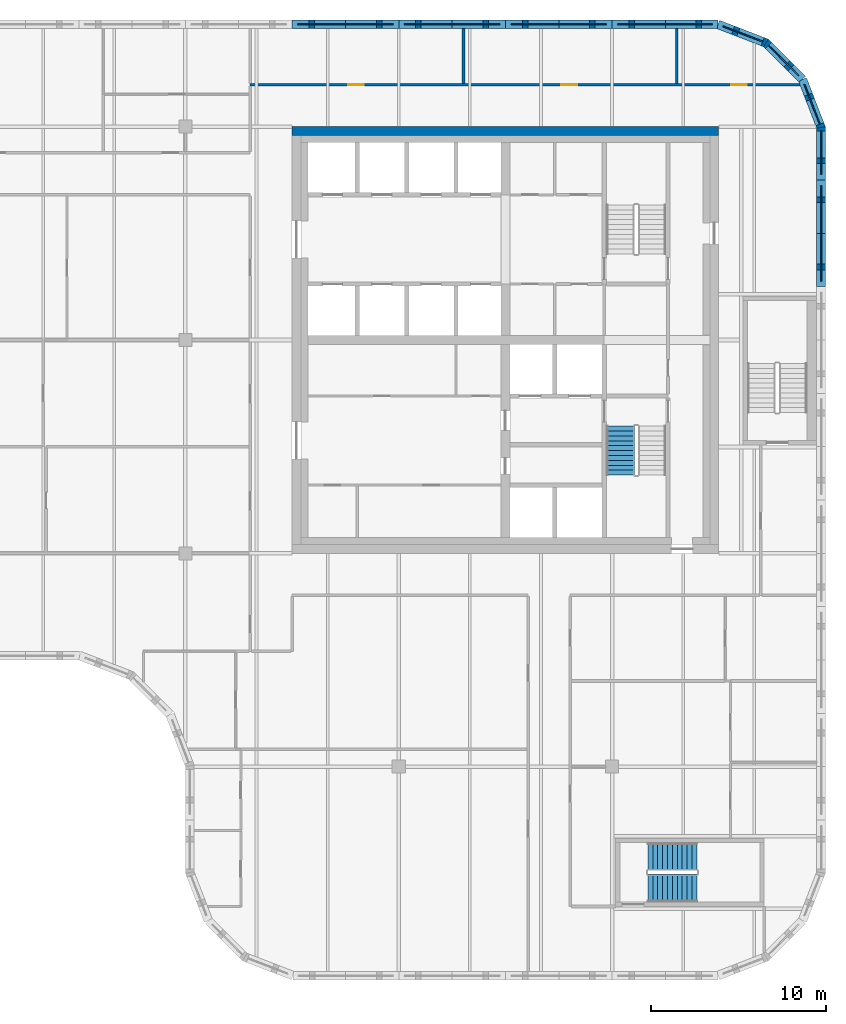
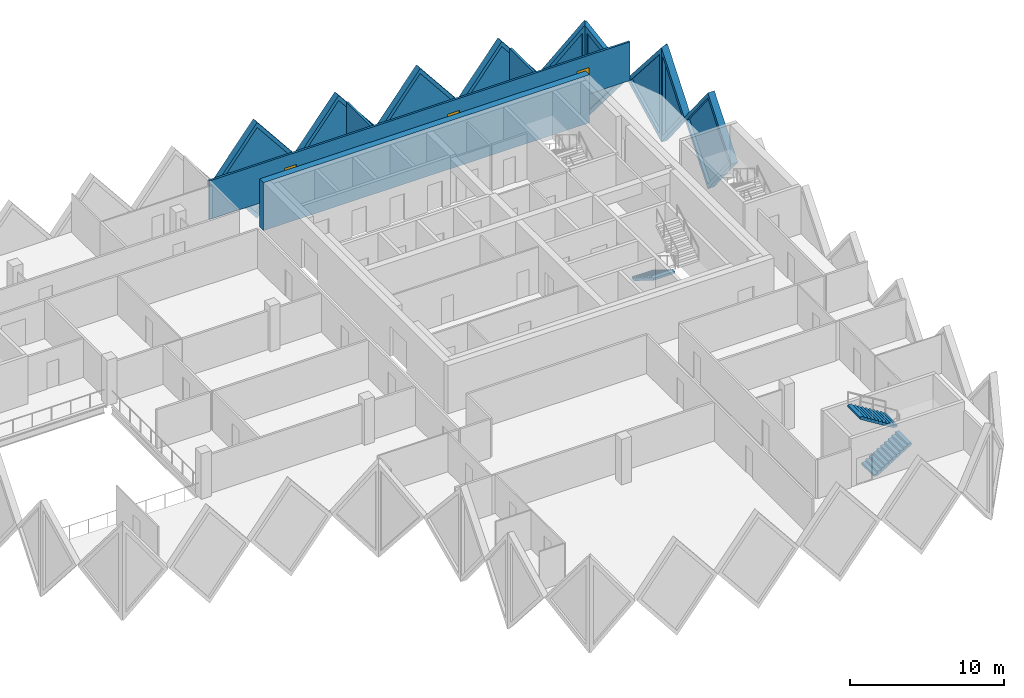
# One storey, part 10 of 12: 13 walls, 9 plates, 3 doors, 3 stair flights, 12 openings, 2 elements without a shape of their own.
"""IFC4 building model written with IfcOpenShell, lengths in metres."""

from ifc_helpers import new_model, si_unit, direction, frame, frame_2d, origin, place, context, subcontext, project, spatial, polyline, rectangle, outline, extrude, faceted_brep, source, transform, mapped, material, layer, layer_set, type_object, element, fill, aggregate, save


model = new_model("IFC4")

# Units and contexts
model_context = context("Model", 3, precision=1e-05, world=origin(), true_north=direction((0.0, 1.0)))
body_context = subcontext(model_context, "Body", "Model", "MODEL_VIEW")
ifc_project = project(units=[si_unit("LENGTHUNIT", "METRE"), si_unit("AREAUNIT", "SQUARE_METRE"), si_unit("VOLUMEUNIT", "CUBIC_METRE"), si_unit("PLANEANGLEUNIT", "RADIAN"), si_unit("MASSUNIT", "GRAM", prefix="KILO")], contexts=[model_context])

# Site, building, storey
site_placement = place(None, origin())
site = spatial("IfcSite", under=ifc_project, at=site_placement, CompositionType="ELEMENT")
building_placement = place(site_placement, origin())
building = spatial("IfcBuilding", under=site, at=building_placement, Name="Tessera Gate Towers", CompositionType="ELEMENT")
storey_placement = place(building_placement, frame((0.0, 0.0, 209.300048828125)))
storey = spatial("IfcBuildingStorey", under=building, at=storey_placement, Name="L52", CompositionType="ELEMENT", Elevation=209.300048828125)

# Wall
ifc_material_1 = material(Name="Concrete C50/60", Category="concrete")
ifc_layer_1 = layer(ifc_material_1, 0.5)
ifc_layer_set_1 = layer_set([ifc_layer_1], Name="CORE SHEAR WALL 500 C50/60")
wall_type_1 = type_object("IfcWallType", Name="CORE SHEAR WALL 500 C50/60", PredefinedType="SHEAR", material=ifc_layer_set_1)
wall_1_placement = place(storey_placement, frame((30.5, 48.550048828125, 0.0), z_axis=(0.0, 0.0, 1.0), x_axis=(1.0, 0.0, 0.0)))
element("IfcWall", 1, at=wall_1_placement, inside=storey, type_object=wall_type_1, Name="Core wall N L52", PredefinedType="SHEAR", context=body_context, shape_type="SweptSolid", body=[
    extrude(rectangle(XDim=24.39990234375, YDim=0.5, at=frame_2d((12.199951171875, 0.0))), origin(), (0.0, 0.0, 1.0), 3.800048828125),
])

# Wall, openings, doors
ifc_material_2 = material(Name="Gypsum board on steel studs, mineral wool", Category="steel")
ifc_layer_2 = layer(ifc_material_2, 0.14990234375)
ifc_layer_set_2 = layer_set([ifc_layer_2], Name="CORRIDOR WALL 150")
wall_type_2 = type_object("IfcWallType", Name="CORRIDOR WALL 150", PredefinedType="PARTITIONING", material=ifc_layer_set_2)
wall_2_placement = place(storey_placement, frame((28.10009765625, 51.199951171875, 0.0), z_axis=(0.0, 0.0, 1.0), x_axis=(1.0, 0.0, 0.0)))
wall_2 = element("IfcWall", 2, at=wall_2_placement, inside=storey, type_object=wall_type_2, Name="T1-L52-PW-053", PredefinedType="PARTITIONING", context=body_context, shape_type="SweptSolid", body=[
    extrude(rectangle(XDim=31.438232421875, YDim=0.14990234375, at=frame_2d((15.71923828125, 0.0))), origin(), (0.0, 0.0, 1.0), 3.06689453125),
])
shared_shape_1 = source(origin(), body_context, "Body", "SweptSolid", [
    extrude(rectangle(XDim=0.89990234375, YDim=2.10009765625, at=frame_2d((0.449951171875, 1.050048828125))), frame((0.0, 0.0849609375, 0.0), z_axis=(0.0, -1.0, 0.0), x_axis=(1.0, 0.0, 0.0)), (0.0, 0.0, 1.0), 0.169921875),
])
opening_1_placement = place(wall_2_placement, frame((27.5009765625, 0.0, 0.0)))
opening_1 = element("IfcOpeningElement", 3, at=opening_1_placement, cuts=wall_2, Name="Opening D890FD60-A19-03", PredefinedType="OPENING", context=body_context, shape_type="MappedRepresentation", body=[
    mapped(shared_shape_1, transform((0.0, 0.0, 0.0), scale=1.0)),
])
opening_2_placement = place(wall_2_placement, frame((5.60009765625, 0.0, 0.0)))
opening_2 = element("IfcOpeningElement", 4, at=opening_2_placement, cuts=wall_2, Name="Opening D890FD60-A19-09", PredefinedType="OPENING", context=body_context, shape_type="MappedRepresentation", body=[
    mapped(shared_shape_1, transform((0.0, 0.0, 0.0), scale=1.0)),
])
opening_3_placement = place(wall_2_placement, frame((17.800048828125, 0.0, 0.0)))
opening_3 = element("IfcOpeningElement", 5, at=opening_3_placement, cuts=wall_2, Name="Opening D890FD60-A19-10", PredefinedType="OPENING", context=body_context, shape_type="MappedRepresentation", body=[
    mapped(shared_shape_1, transform((0.0, 0.0, 0.0), scale=1.0)),
])
ifc_material_3 = material(Name="Timber door leaf in steel frame", Category="steel")
door_type = type_object("IfcDoorType", Name="CORRIDOR DOOR 900 FD60", OperationType="NOTDEFINED", PredefinedType="DOOR", material=ifc_material_3)
shared_shape_2 = source(origin(), body_context, "Body", "SweptSolid", [
    extrude(rectangle(XDim=0.89990234375, YDim=2.10009765625, at=frame_2d((0.449951171875, 1.050048828125))), frame((0.0, 0.02490234375, 0.0), z_axis=(0.0, -1.0, 0.0), x_axis=(1.0, 0.0, 0.0)), (0.0, 0.0, 1.0), 0.050048828125),
])
door_1_placement = place(opening_1_placement, origin())
door_1 = element("IfcDoor", 6, at=door_1_placement, inside=storey, type_object=door_type, Name="T1-L52-PD-016", OperationType="SINGLE_SWING_LEFT", OverallHeight=2.10009765625, OverallWidth=0.89990234375, PredefinedType="DOOR", context=body_context, shape_type="MappedRepresentation", body=[
    mapped(shared_shape_2, transform((0.0, 0.0, 0.0), scale=1.0)),
])
fill(opening_1, door_1)
door_2_placement = place(opening_2_placement, origin())
door_2 = element("IfcDoor", 7, at=door_2_placement, inside=storey, type_object=door_type, Name="T1-L52-PD-024", OperationType="SINGLE_SWING_LEFT", OverallHeight=2.10009765625, OverallWidth=0.89990234375, PredefinedType="DOOR", context=body_context, shape_type="MappedRepresentation", body=[
    mapped(shared_shape_2, transform((0.0, 0.0, 0.0), scale=1.0)),
])
fill(opening_2, door_2)
door_3_placement = place(opening_3_placement, origin())
door_3 = element("IfcDoor", 8, at=door_3_placement, inside=storey, type_object=door_type, Name="T1-L52-PD-026", OperationType="SINGLE_SWING_LEFT", OverallHeight=2.10009765625, OverallWidth=0.89990234375, PredefinedType="DOOR", context=body_context, shape_type="MappedRepresentation", body=[
    mapped(shared_shape_2, transform((0.0, 0.0, 0.0), scale=1.0)),
])
fill(opening_3, door_3)

# Walls
ifc_material_4 = material(Name="Gypsum board on steel studs, mineral wool", Category="steel")
ifc_layer_3 = layer(ifc_material_4, 0.14990234375)
ifc_layer_set_3 = layer_set([ifc_layer_3], Name="TENANCY WALL 150")
wall_type_3 = type_object("IfcWallType", Name="TENANCY WALL 150", PredefinedType="PARTITIONING", material=ifc_layer_set_3)
for number, where, z_axis, x_axis, name in (
    (9, (40.300048828125, 51.27587890625, 0.0), (0.0, 0.0, 1.0), (0.0, 1.0, 0.0), "T1-L52-PW-055"),
    (10, (52.5, 51.27587890625, 0.0), (0.0, 0.0, 1.0), (0.0, 1.0, 0.0), "T1-L52-PW-056"),
):
    element("IfcWall", number, at=place(storey_placement, frame(where, z_axis=z_axis, x_axis=x_axis)), inside=storey, type_object=wall_type_3, Name=name, PredefinedType="PARTITIONING", context=body_context, shape_type="SweptSolid", body=[
        extrude(rectangle(XDim=3.1240234375, YDim=0.14990234375, at=frame_2d((1.56201171875, 0.0))), origin(), (0.0, 0.0, 1.0), 3.06689453125),
    ])

# Wall, opening, plate
ifc_material_5 = material(Name="Precast concrete C60/75 white", Category="concrete")
ifc_layer_4 = layer(ifc_material_5, 0.5)
ifc_layer_set_4 = layer_set([ifc_layer_4], Name="TS1 tessera")
wall_type_4 = type_object("IfcWallType", Name="TS1 tessera", PredefinedType="SOLIDWALL", material=ifc_layer_set_4)
shared_shape_3 = source(origin(), body_context, "Body", "Brep", [
    faceted_brep([(3.00341796875, -0.25, 0.0), (6.053466796875, -0.25, 3.800048828125), (3.00341796875, -0.25, 7.60009765625), (0.0, -0.25, 3.800048828125), (0.046630859375, 0.25, 3.85888671875), (3.00341796875, 0.25, 7.60009765625), (6.053466796875, 0.25, 3.800048828125), (3.00341796875, 0.25, 0.0), (0.046630859375, 0.25, 3.7412109375), (0.0, 0.0, 3.800048828125)], [[[0, 1, 2, 3]], [[4, 5, 6, 7, 8]], [[7, 6, 1, 0]], [[6, 5, 2, 1]], [[5, 4, 9, 3, 2]], [[8, 7, 0, 3, 9]], [[8, 9, 4]]]),
])
wall_3_placement = place(storey_placement, frame((54.853515625, 54.64990234375, -3.800048828125), z_axis=(0.0, 0.0, 1.0), x_axis=(-1.0, 0.0, 0.0)))
wall_3 = element("IfcWall", 11, at=wall_3_placement, inside=storey, type_object=wall_type_4, Name="Precast tessera T1 TS1-0907", PredefinedType="SOLIDWALL", context=body_context, shape_type="MappedRepresentation", body=[
    mapped(shared_shape_3, transform((0.0, 0.0, 0.0), scale=1.0)),
])
shared_shape_4 = source(origin(), body_context, "Body", "SweptSolid", [
    extrude(outline(polyline([(3.0048828125, 0.4013671875), (5.73291015625, 3.800048828125), (3.0048828125, 7.19873046875), (0.318603515625, 3.800048828125), (3.0048828125, 0.4013671875)])), frame((0.0, 0.260009765625, 0.0), z_axis=(0.0, -1.0, 0.0), x_axis=(1.0, 0.0, 0.0)), (0.0, 0.0, 1.0), 0.52001953125),
])
opening_4_placement = place(wall_3_placement, origin())
opening_4 = element("IfcOpeningElement", 12, at=opening_4_placement, cuts=wall_3, Name="Opening T1-PL2-1851", PredefinedType="OPENING", context=body_context, shape_type="MappedRepresentation", body=[
    mapped(shared_shape_4, transform((0.0, 0.0, 0.0), scale=1.0)),
])
ifc_material_6 = material(Name="Low-e laminated glass", Category="glass")
ifc_layer_5 = layer(ifc_material_6, 0.06005859375)
ifc_layer_set_5 = layer_set([ifc_layer_5], Name="PL2 rhombic pane")
plate_type = type_object("IfcPlateType", Name="PL2 rhombic pane", PredefinedType="SHEET", material=ifc_layer_set_5)
shared_shape_5 = source(origin(), body_context, "Body", "SweptSolid", [
    extrude(outline(polyline([(3.0048828125, 0.4013671875), (5.73291015625, 3.800048828125), (3.0048828125, 7.19873046875), (0.318603515625, 3.800048828125), (3.0048828125, 0.4013671875)])), frame((0.0, 0.030029296875, 0.0), z_axis=(0.0, -1.0, 0.0), x_axis=(1.0, 0.0, 0.0)), (0.0, 0.0, 1.0), 0.06005859375),
])
plate_1_placement = place(opening_4_placement, origin())
plate_1 = element("IfcPlate", 13, at=plate_1_placement, inside=storey, type_object=plate_type, Name="Glass pane T1 PL2-1851", PredefinedType="SHEET", context=body_context, shape_type="MappedRepresentation", body=[
    mapped(shared_shape_5, transform((0.0, 0.0, 0.0), scale=1.0)),
])
fill(opening_4, plate_1)

shared_shape_6 = source(origin(), body_context, "Body", "Brep", [
    faceted_brep([(3.050048828125, -0.25, 0.0), (6.099853515625, -0.25, 3.7998046875), (6.099853515625, -0.25, 3.80029296875), (3.050048828125, -0.25, 7.60009765625), (0.0, -0.25, 3.800048828125), (0.0, 0.25, 3.800048828125), (3.050048828125, 0.25, 7.60009765625), (6.099853515625, 0.25, 3.80029296875), (6.099853515625, 0.25, 3.7998046875), (3.050048828125, 0.25, 0.0)], [[[0, 1, 2, 3, 4]], [[5, 6, 7, 8, 9]], [[9, 8, 1, 0]], [[7, 6, 3, 2]], [[6, 5, 4, 3]], [[5, 9, 0, 4]], [[1, 8, 7, 2]]]),
])
wall_4_placement = place(storey_placement, frame((42.699951171875, 54.64990234375, -3.800048828125), z_axis=(0.0, 0.0, 1.0), x_axis=(-1.0, 0.0, 0.0)))
wall_4 = element("IfcWall", 14, at=wall_4_placement, inside=storey, type_object=wall_type_4, Name="Precast tessera T1 TS1-0909", PredefinedType="SOLIDWALL", context=body_context, shape_type="MappedRepresentation", body=[
    mapped(shared_shape_6, transform((0.0, 0.0, 0.0), scale=1.0)),
])
shared_shape_7 = source(origin(), body_context, "Body", "SweptSolid", [
    extrude(outline(polyline([(3.050048828125, 0.3994140625), (5.779541015625, 3.800048828125), (3.050048828125, 7.20068359375), (0.320556640625, 3.800048828125), (3.050048828125, 0.3994140625)])), frame((0.0, 0.260009765625, 0.0), z_axis=(0.0, -1.0, 0.0), x_axis=(1.0, 0.0, 0.0)), (0.0, 0.0, 1.0), 0.52001953125),
])
opening_5_placement = place(wall_4_placement, origin())
opening_5 = element("IfcOpeningElement", 15, at=opening_5_placement, cuts=wall_4, Name="Opening T1-PL2-1853", PredefinedType="OPENING", context=body_context, shape_type="MappedRepresentation", body=[
    mapped(shared_shape_7, transform((0.0, 0.0, 0.0), scale=1.0)),
])
shared_shape_8 = source(origin(), body_context, "Body", "SweptSolid", [
    extrude(outline(polyline([(3.050048828125, 0.3994140625), (5.779541015625, 3.800048828125), (3.050048828125, 7.20068359375), (0.320556640625, 3.800048828125), (3.050048828125, 0.3994140625)])), frame((0.0, 0.030029296875, 0.0), z_axis=(0.0, -1.0, 0.0), x_axis=(1.0, 0.0, 0.0)), (0.0, 0.0, 1.0), 0.06005859375),
])
plate_2_placement = place(opening_5_placement, origin())
plate_2 = element("IfcPlate", 16, at=plate_2_placement, inside=storey, type_object=plate_type, Name="Glass pane T1 PL2-1853", PredefinedType="SHEET", context=body_context, shape_type="MappedRepresentation", body=[
    mapped(shared_shape_8, transform((0.0, 0.0, 0.0), scale=1.0)),
])
fill(opening_5, plate_2)

shared_shape_9 = source(origin(), body_context, "Body", "SweptSolid", [
    extrude(outline(polyline([(3.050048828125, 0.0), (6.10009765625, 3.800048828125), (3.050048828125, 7.60009765625), (0.0, 3.800048828125), (3.050048828125, 0.0)])), frame((0.0, 0.25, 0.0), z_axis=(0.0, -1.0, 0.0), x_axis=(1.0, 0.0, 0.0)), (0.0, 0.0, 1.0), 0.5),
])
wall_5_placement = place(storey_placement, frame((60.75, 39.64990234375, -3.800048828125), z_axis=(0.0, 0.0, 1.0), x_axis=(0.0, 1.0, 0.0)))
wall_5 = element("IfcWall", 17, at=wall_5_placement, inside=storey, type_object=wall_type_4, Name="Precast tessera T1 TS1-0906", PredefinedType="SOLIDWALL", context=body_context, shape_type="MappedRepresentation", body=[
    mapped(shared_shape_9, transform((0.0, 0.0, 0.0), scale=1.0)),
])
opening_6_placement = place(wall_5_placement, origin())
opening_6 = element("IfcOpeningElement", 18, at=opening_6_placement, cuts=wall_5, Name="Opening T1-PL2-1846", PredefinedType="OPENING", context=body_context, shape_type="MappedRepresentation", body=[
    mapped(shared_shape_7, transform((0.0, 0.0, 0.0), scale=1.0)),
])
plate_3_placement = place(opening_6_placement, origin())
plate_3 = element("IfcPlate", 19, at=plate_3_placement, inside=storey, type_object=plate_type, Name="Glass pane T1 PL2-1846", PredefinedType="SHEET", context=body_context, shape_type="MappedRepresentation", body=[
    mapped(shared_shape_8, transform((0.0, 0.0, 0.0), scale=1.0)),
])
fill(opening_6, plate_3)

wall_6_placement = place(storey_placement, frame((48.800048828125, 54.64990234375, -3.800048828125), z_axis=(0.0, 0.0, 1.0), x_axis=(-1.0, 0.0, 0.0)))
wall_6 = element("IfcWall", 20, at=wall_6_placement, inside=storey, type_object=wall_type_4, Name="Precast tessera T1 TS1-0908", PredefinedType="SOLIDWALL", context=body_context, shape_type="MappedRepresentation", body=[
    mapped(shared_shape_9, transform((0.0, 0.0, 0.0), scale=1.0)),
])
opening_7_placement = place(wall_6_placement, origin())
opening_7 = element("IfcOpeningElement", 21, at=opening_7_placement, cuts=wall_6, Name="Opening T1-PL2-1852", PredefinedType="OPENING", context=body_context, shape_type="MappedRepresentation", body=[
    mapped(shared_shape_7, transform((0.0, 0.0, 0.0), scale=1.0)),
])
plate_4_placement = place(opening_7_placement, origin())
plate_4 = element("IfcPlate", 22, at=plate_4_placement, inside=storey, type_object=plate_type, Name="Glass pane T1 PL2-1852", PredefinedType="SHEET", context=body_context, shape_type="MappedRepresentation", body=[
    mapped(shared_shape_8, transform((0.0, 0.0, 0.0), scale=1.0)),
])
fill(opening_7, plate_4)

wall_7_placement = place(storey_placement, frame((36.60009765625, 54.64990234375, -3.800048828125), z_axis=(0.0, 0.0, 1.0), x_axis=(-1.0, 0.0, 0.0)))
wall_7 = element("IfcWall", 23, at=wall_7_placement, inside=storey, type_object=wall_type_4, Name="Precast tessera T1 TS1-0910", PredefinedType="SOLIDWALL", context=body_context, shape_type="MappedRepresentation", body=[
    mapped(shared_shape_9, transform((0.0, 0.0, 0.0), scale=1.0)),
])
opening_8_placement = place(wall_7_placement, origin())
opening_8 = element("IfcOpeningElement", 24, at=opening_8_placement, cuts=wall_7, Name="Opening T1-PL2-1854", PredefinedType="OPENING", context=body_context, shape_type="MappedRepresentation", body=[
    mapped(shared_shape_7, transform((0.0, 0.0, 0.0), scale=1.0)),
])
plate_5_placement = place(opening_8_placement, origin())
plate_5 = element("IfcPlate", 25, at=plate_5_placement, inside=storey, type_object=plate_type, Name="Glass pane T1 PL2-1854", PredefinedType="SHEET", context=body_context, shape_type="MappedRepresentation", body=[
    mapped(shared_shape_8, transform((0.0, 0.0, 0.0), scale=1.0)),
])
fill(opening_8, plate_5)

ifc_material_7 = material(Name="Precast concrete C60/75 white", Category="concrete")
ifc_layer_6 = layer(ifc_material_7, 0.5)
ifc_layer_set_6 = layer_set([ifc_layer_6], Name="TS3 corner tessera")
wall_type_5 = type_object("IfcWallType", Name="TS3 corner tessera", PredefinedType="SOLIDWALL", material=ifc_layer_set_6)
shared_shape_10 = source(origin(), body_context, "Body", "Brep", [
    faceted_brep([(3.00341796875, -0.25, 0.0), (3.050048828125, -0.25, 0.06005859375), (3.050048828125, -0.25, 7.5400390625), (3.00341796875, -0.25, 7.60009765625), (0.0, -0.25, 3.800048828125), (0.0, 0.25, 3.800048828125), (2.956787109375, 0.25, 7.541259765625), (2.956787109375, 0.25, 0.058837890625), (3.00341796875, 0.000244140625, 0.0), (3.00341796875, 0.000244140625, 7.60009765625)], [[[0, 1, 2, 3, 4]], [[5, 6, 7]], [[1, 0, 8]], [[9, 3, 2]], [[6, 5, 4, 3, 9]], [[5, 7, 8, 0, 4]], [[1, 8, 7, 6, 9, 2]]]),
])
wall_8_placement = place(storey_placement, frame((60.75, 45.75, -3.800048828125), z_axis=(0.0, 0.0, 1.0), x_axis=(0.0, 1.0, 0.0)))
wall_8 = element("IfcWall", 26, at=wall_8_placement, inside=storey, type_object=wall_type_5, Name="Precast corner tessera T1 TS3-1205", PredefinedType="SOLIDWALL", context=body_context, shape_type="MappedRepresentation", body=[
    mapped(shared_shape_10, transform((0.0, 0.0, 0.0), scale=1.0)),
])
shared_shape_11 = source(origin(), body_context, "Body", "SweptSolid", [
    extrude(outline(polyline([(2.803466796875, 6.94384765625), (0.318603515625, 3.800048828125), (2.803466796875, 0.65625), (2.803466796875, 6.94384765625)])), frame((0.0, 0.260009765625, 0.0), z_axis=(0.0, -1.0, 0.0), x_axis=(1.0, 0.0, 0.0)), (0.0, 0.0, 1.0), 0.52001953125),
])
opening_9_placement = place(wall_8_placement, origin())
opening_9 = element("IfcOpeningElement", 27, at=opening_9_placement, cuts=wall_8, Name="Opening T1-PL2-1847", PredefinedType="OPENING", context=body_context, shape_type="MappedRepresentation", body=[
    mapped(shared_shape_11, transform((0.0, 0.0, 0.0), scale=1.0)),
])
shared_shape_12 = source(origin(), body_context, "Body", "SweptSolid", [
    extrude(outline(polyline([(2.803466796875, 6.94384765625), (0.318603515625, 3.800048828125), (2.803466796875, 0.65625), (2.803466796875, 6.94384765625)])), frame((0.0, 0.030029296875, 0.0), z_axis=(0.0, -1.0, 0.0), x_axis=(1.0, 0.0, 0.0)), (0.0, 0.0, 1.0), 0.06005859375),
])
plate_6_placement = place(opening_9_placement, origin())
plate_6 = element("IfcPlate", 28, at=plate_6_placement, inside=storey, type_object=plate_type, Name="Glass pane T1 PL2-1847", PredefinedType="SHEET", context=body_context, shape_type="MappedRepresentation", body=[
    mapped(shared_shape_12, transform((0.0, 0.0, 0.0), scale=1.0)),
])
fill(opening_9, plate_6)

shared_shape_13 = source(origin(), body_context, "Body", "Brep", [
    faceted_brep([(0.046630859375, -0.25, 0.0), (2.9970703125, -0.25, 3.800048828125), (0.046630859375, -0.25, 7.60009765625), (0.0, -0.25, 7.541259765625), (0.0, -0.25, 0.058837890625), (0.09326171875, 0.25, 7.5400390625), (2.9443359375, 0.25, 3.8681640625), (2.9443359375, 0.25, 3.73193359375), (0.09326171875, 0.25, 0.06005859375), (2.9970703125, 0.00048828125, 3.800048828125), (0.046630859375, 0.0, 0.0), (0.046630859375, 0.0, 7.60009765625)], [[[0, 1, 2, 3, 4]], [[5, 6, 7, 8]], [[8, 7, 9, 1, 0, 10]], [[6, 5, 11, 2, 1, 9]], [[3, 2, 11]], [[10, 0, 4]], [[8, 10, 4, 3, 11, 5]], [[9, 7, 6]]]),
])
wall_9_placement = place(storey_placement, frame((60.766845703125, 48.7099609375, -3.800048828125), z_axis=(0.0, 0.0, 1.0), x_axis=(-0.359901446078, 0.932990326376, 0.0)))
wall_9 = element("IfcWall", 29, at=wall_9_placement, inside=storey, type_object=wall_type_5, Name="Precast corner tessera T1 TS3-1206", PredefinedType="SOLIDWALL", context=body_context, shape_type="MappedRepresentation", body=[
    mapped(shared_shape_13, transform((0.0, 0.0, 0.0), scale=1.0)),
])
shared_shape_14 = source(origin(), body_context, "Body", "SweptSolid", [
    extrude(outline(polyline([(0.24658203125, 0.665283203125), (2.6806640625, 3.800048828125), (0.24658203125, 6.934814453125), (0.24658203125, 0.665283203125)])), frame((0.0, 0.260009765625, 0.0), z_axis=(0.0, -1.0, 0.0), x_axis=(1.0, 0.0, 0.0)), (0.0, 0.0, 1.0), 0.52001953125),
])
opening_10_placement = place(wall_9_placement, origin())
opening_10 = element("IfcOpeningElement", 30, at=opening_10_placement, cuts=wall_9, Name="Opening T1-PL2-1848", PredefinedType="OPENING", context=body_context, shape_type="MappedRepresentation", body=[
    mapped(shared_shape_14, transform((0.0, 0.0, 0.0), scale=1.0)),
])
shared_shape_15 = source(origin(), body_context, "Body", "SweptSolid", [
    extrude(outline(polyline([(0.24658203125, 0.665283203125), (2.6806640625, 3.800048828125), (0.24658203125, 6.934814453125), (0.24658203125, 0.665283203125)])), frame((0.0, 0.030029296875, 0.0), z_axis=(0.0, -1.0, 0.0), x_axis=(1.0, 0.0, 0.0)), (0.0, 0.0, 1.0), 0.06005859375),
])
plate_7_placement = place(opening_10_placement, origin())
plate_7 = element("IfcPlate", 31, at=plate_7_placement, inside=storey, type_object=plate_type, Name="Glass pane T1 PL2-1848", PredefinedType="SHEET", context=body_context, shape_type="MappedRepresentation", body=[
    mapped(shared_shape_15, transform((0.0, 0.0, 0.0), scale=1.0)),
])
fill(opening_10, plate_7)

shared_shape_16 = source(origin(), body_context, "Body", "Brep", [
    faceted_brep([(2.944091796875, -0.25, 0.0), (2.9970703125, -0.25, 0.068115234375), (2.9970703125, -0.25, 7.531982421875), (2.944091796875, -0.25, 7.60009765625), (0.0, -0.25, 3.800048828125), (0.052978515625, 0.25, 3.868408203125), (2.89111328125, 0.25, 7.531982421875), (2.89111328125, 0.25, 0.068115234375), (0.052978515625, 0.25, 3.731689453125), (2.944091796875, 0.000244140625, 0.0), (2.944091796875, 0.000244140625, 7.60009765625), (0.0, 0.0, 3.800048828125)], [[[0, 1, 2, 3, 4]], [[5, 6, 7, 8]], [[1, 0, 9]], [[10, 3, 2]], [[6, 5, 11, 4, 3, 10]], [[8, 7, 9, 0, 4, 11]], [[8, 11, 5]], [[1, 9, 7, 6, 10, 2]]]),
])
wall_10_placement = place(storey_placement, frame((59.68798828125, 51.50634765625, -3.800048828125), z_axis=(0.0, 0.0, 1.0), x_axis=(-0.707106781187, 0.707106781187, 0.0)))
wall_10 = element("IfcWall", 32, at=wall_10_placement, inside=storey, type_object=wall_type_5, Name="Precast corner tessera T1 TS3-1207", PredefinedType="SOLIDWALL", context=body_context, shape_type="MappedRepresentation", body=[
    mapped(shared_shape_16, transform((0.0, 0.0, 0.0), scale=1.0)),
])
shared_shape_17 = source(origin(), body_context, "Body", "SweptSolid", [
    extrude(outline(polyline([(2.744140625, 6.93359375), (0.316162109375, 3.800048828125), (2.744140625, 0.666259765625), (2.744140625, 6.93359375)])), frame((0.0, 0.260009765625, 0.0), z_axis=(0.0, -1.0, 0.0), x_axis=(1.0, 0.0, 0.0)), (0.0, 0.0, 1.0), 0.52001953125),
])
opening_11_placement = place(wall_10_placement, origin())
opening_11 = element("IfcOpeningElement", 33, at=opening_11_placement, cuts=wall_10, Name="Opening T1-PL2-1849", PredefinedType="OPENING", context=body_context, shape_type="MappedRepresentation", body=[
    mapped(shared_shape_17, transform((0.0, 0.0, 0.0), scale=1.0)),
])
shared_shape_18 = source(origin(), body_context, "Body", "SweptSolid", [
    extrude(outline(polyline([(2.744140625, 6.93359375), (0.316162109375, 3.800048828125), (2.744140625, 0.666259765625), (2.744140625, 6.93359375)])), frame((0.0, 0.030029296875, 0.0), z_axis=(0.0, -1.0, 0.0), x_axis=(1.0, 0.0, 0.0)), (0.0, 0.0, 1.0), 0.06005859375),
])
plate_8_placement = place(opening_11_placement, origin())
plate_8 = element("IfcPlate", 34, at=plate_8_placement, inside=storey, type_object=plate_type, Name="Glass pane T1 PL2-1849", PredefinedType="SHEET", context=body_context, shape_type="MappedRepresentation", body=[
    mapped(shared_shape_18, transform((0.0, 0.0, 0.0), scale=1.0)),
])
fill(opening_11, plate_8)

shared_shape_19 = source(origin(), body_context, "Body", "Brep", [
    faceted_brep([(0.052978515625, -0.25, 0.0), (3.00341796875, -0.25, 3.800048828125), (0.052978515625, -0.25, 7.60009765625), (0.0, -0.25, 7.53173828125), (0.0, -0.25, 0.068359375), (0.10595703125, 0.25, 7.531982421875), (2.95703125, 0.25, 3.85986328125), (2.95703125, 0.25, 3.740234375), (0.10595703125, 0.25, 0.068115234375), (3.00341796875, 0.00048828125, 3.800048828125), (0.052978515625, 0.0, 0.0), (0.052978515625, 0.0, 7.60009765625)], [[[0, 1, 2, 3, 4]], [[5, 6, 7, 8]], [[8, 7, 9, 1, 0, 10]], [[6, 5, 11, 2, 1, 9]], [[3, 2, 11]], [[10, 0, 4]], [[8, 10, 4, 3, 11, 5]], [[9, 7, 6]]]),
])
wall_11_placement = place(storey_placement, frame((57.65576171875, 53.569091796875, -3.800048828125), z_axis=(0.0, 0.0, 1.0), x_axis=(-0.933007896601, 0.359855894603, 0.0)))
wall_11 = element("IfcWall", 35, at=wall_11_placement, inside=storey, type_object=wall_type_5, Name="Precast corner tessera T1 TS3-1208", PredefinedType="SOLIDWALL", context=body_context, shape_type="MappedRepresentation", body=[
    mapped(shared_shape_19, transform((0.0, 0.0, 0.0), scale=1.0)),
])
shared_shape_20 = source(origin(), body_context, "Body", "SweptSolid", [
    extrude(outline(polyline([(0.2529296875, 0.665283203125), (2.68701171875, 3.800048828125), (0.2529296875, 6.934814453125), (0.2529296875, 0.665283203125)])), frame((0.0, 0.260009765625, 0.0), z_axis=(0.0, -1.0, 0.0), x_axis=(1.0, 0.0, 0.0)), (0.0, 0.0, 1.0), 0.52001953125),
])
opening_12_placement = place(wall_11_placement, origin())
opening_12 = element("IfcOpeningElement", 36, at=opening_12_placement, cuts=wall_11, Name="Opening T1-PL2-1850", PredefinedType="OPENING", context=body_context, shape_type="MappedRepresentation", body=[
    mapped(shared_shape_20, transform((0.0, 0.0, 0.0), scale=1.0)),
])
shared_shape_21 = source(origin(), body_context, "Body", "SweptSolid", [
    extrude(outline(polyline([(0.2529296875, 0.665283203125), (2.68701171875, 3.800048828125), (0.2529296875, 6.934814453125), (0.2529296875, 0.665283203125)])), frame((0.0, 0.030029296875, 0.0), z_axis=(0.0, -1.0, 0.0), x_axis=(1.0, 0.0, 0.0)), (0.0, 0.0, 1.0), 0.06005859375),
])
plate_9_placement = place(opening_12_placement, origin())
plate_9 = element("IfcPlate", 37, at=plate_9_placement, inside=storey, type_object=plate_type, Name="Glass pane T1 PL2-1850", PredefinedType="SHEET", context=body_context, shape_type="MappedRepresentation", body=[
    mapped(shared_shape_21, transform((0.0, 0.0, 0.0), scale=1.0)),
])
fill(opening_12, plate_9)

# Stair, stair flight
ifc_material_8 = material(Name="Concrete C40/50", Category="concrete")
stair_type_1 = type_object("IfcStairType", Name="EXIT STAIR ST1 1600", PredefinedType="HALF_TURN_STAIR", material=ifc_material_8)
stair_1_placement = place(storey_placement, origin())
stair_1 = element("IfcStair", 38, at=stair_1_placement, inside=storey, type_object=stair_type_1, Name="L52 Protected Exit Stair ST1", PredefinedType="HALF_TURN_STAIR")
ifc_material_9 = material(Name="Concrete C40/50", Category="concrete")
stair_flight_type_1 = type_object("IfcStairFlightType", Name="EXIT STAIR FLIGHT ST1 1600", PredefinedType="STRAIGHT", material=ifc_material_9)
stair_flight_1_placement = place(storey_placement, frame((49.27490234375, 31.675048828125, 0.0), z_axis=(0.0, 0.0, 1.0), x_axis=(0.0, -1.0, 0.0)))
stair_flight_1 = element("IfcStairFlight", 39, at=stair_flight_1_placement, type_object=stair_flight_type_1, Name="ST1 flight 1", NumberOfRisers=11, NumberOfTreads=10, PredefinedType="STRAIGHT", RiserHeight=0.172727273, TreadLength=0.28, context=body_context, shape_type="SweptSolid", body=[
    extrude(outline(polyline([(0.0, 0.0), (0.0, 0.172607421875), (0.280029296875, 0.172607421875), (0.280029296875, 0.345458984375), (0.56005859375, 0.345458984375), (0.56005859375, 0.51806640625), (0.840087890625, 0.51806640625), (0.840087890625, 0.69091796875), (1.1201171875, 0.69091796875), (1.1201171875, 0.863525390625), (1.39990234375, 0.863525390625), (1.39990234375, 1.036376953125), (1.679931640625, 1.036376953125), (1.679931640625, 1.208984375), (1.9599609375, 1.208984375), (1.9599609375, 1.3818359375), (2.239990234375, 1.3818359375), (2.239990234375, 1.554443359375), (2.52001953125, 1.554443359375), (2.52001953125, 1.727294921875), (2.800048828125, 1.727294921875), (2.800048828125, 1.89990234375), (2.800048828125, 1.551025390625), (0.285400390625, 0.0), (0.0, 0.0)])), frame((0.0, 0.800048828125, 0.0), z_axis=(0.0, -1.0, 0.0), x_axis=(1.0, 0.0, 0.0)), (0.0, 0.0, 1.0), 1.60009765625),
])
aggregate(stair_1, [stair_flight_1])

# Stair, stair flights
ifc_material_10 = material(Name="Concrete C40/50", Category="concrete")
stair_type_2 = type_object("IfcStairType", Name="EXIT STAIR ST4 1600", PredefinedType="HALF_TURN_STAIR", material=ifc_material_10)
stair_2_placement = place(storey_placement, origin())
stair_2 = element("IfcStair", 40, at=stair_2_placement, inside=storey, type_object=stair_type_2, Name="L52 South Exit Stair ST4", PredefinedType="HALF_TURN_STAIR")
ifc_material_11 = material(Name="Concrete C40/50", Category="concrete")
stair_flight_type_2 = type_object("IfcStairFlightType", Name="EXIT STAIR FLIGHT ST4 1600", PredefinedType="STRAIGHT", material=ifc_material_11)
stair_flight_2_placement = place(storey_placement, frame((50.85009765625, 5.25, 0.0), z_axis=(0.0, 0.0, 1.0), x_axis=(1.0, 0.0, 0.0)))
stair_flight_2 = element("IfcStairFlight", 41, at=stair_flight_2_placement, type_object=stair_flight_type_2, Name="ST4 flight 1", NumberOfRisers=11, NumberOfTreads=10, PredefinedType="STRAIGHT", RiserHeight=0.172727273, TreadLength=0.28, context=body_context, shape_type="SweptSolid", body=[
    extrude(outline(polyline([(0.0, 0.0), (0.0, 0.172607421875), (0.280029296875, 0.172607421875), (0.280029296875, 0.345458984375), (0.56005859375, 0.345458984375), (0.56005859375, 0.51806640625), (0.840087890625, 0.51806640625), (0.840087890625, 0.69091796875), (1.1201171875, 0.69091796875), (1.1201171875, 0.863525390625), (1.39990234375, 0.863525390625), (1.39990234375, 1.036376953125), (1.679931640625, 1.036376953125), (1.679931640625, 1.208984375), (1.9599609375, 1.208984375), (1.9599609375, 1.3818359375), (2.239990234375, 1.3818359375), (2.239990234375, 1.554443359375), (2.52001953125, 1.554443359375), (2.52001953125, 1.727294921875), (2.800048828125, 1.727294921875), (2.800048828125, 1.89990234375), (2.800048828125, 1.551025390625), (0.285400390625, 0.0), (0.0, 0.0)])), frame((0.0, 0.800048828125, 0.0), z_axis=(0.0, -1.0, 0.0), x_axis=(1.0, 0.0, 0.0)), (0.0, 0.0, 1.0), 1.60009765625),
])
stair_flight_3_placement = place(storey_placement, frame((53.64990234375, 7.050048828125, 1.89990234375), z_axis=(0.0, 0.0, 1.0), x_axis=(-1.0, 0.0, 0.0)))
stair_flight_3 = element("IfcStairFlight", 42, at=stair_flight_3_placement, type_object=stair_flight_type_2, Name="ST4 flight 2", NumberOfRisers=11, NumberOfTreads=10, PredefinedType="STRAIGHT", RiserHeight=0.172727273, TreadLength=0.28, context=body_context, shape_type="SweptSolid", body=[
    extrude(outline(polyline([(0.0, 0.0), (0.0, 0.172607421875), (0.280029296875, 0.172607421875), (0.280029296875, 0.345458984375), (0.56005859375, 0.345458984375), (0.56005859375, 0.51806640625), (0.840087890625, 0.51806640625), (0.840087890625, 0.69091796875), (1.1201171875, 0.69091796875), (1.1201171875, 0.863525390625), (1.39990234375, 0.863525390625), (1.39990234375, 1.036376953125), (1.679931640625, 1.036376953125), (1.679931640625, 1.208984375), (1.9599609375, 1.208984375), (1.9599609375, 1.3818359375), (2.239990234375, 1.3818359375), (2.239990234375, 1.554443359375), (2.52001953125, 1.554443359375), (2.52001953125, 1.727294921875), (2.800048828125, 1.727294921875), (2.800048828125, 1.89990234375), (2.800048828125, 1.551025390625), (0.285400390625, 0.0), (0.0, 0.0)])), frame((0.0, 0.800048828125, 0.0), z_axis=(0.0, -1.0, 0.0), x_axis=(1.0, 0.0, 0.0)), (0.0, 0.0, 1.0), 1.60009765625),
])
aggregate(stair_2, [stair_flight_2, stair_flight_3])

save(model, "model.ifc")
